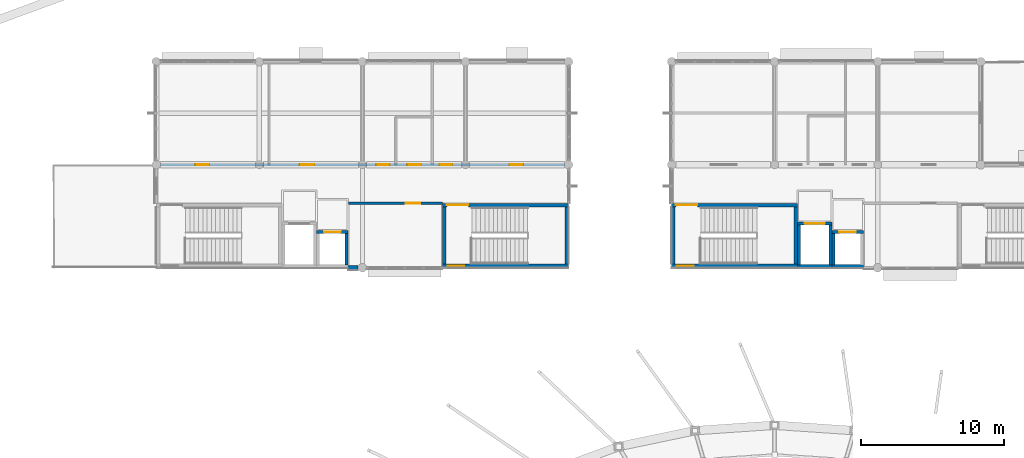
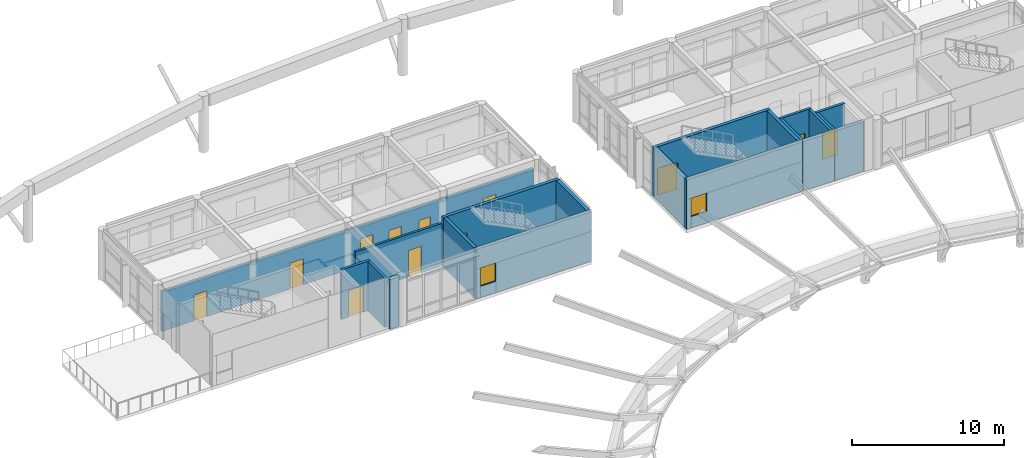
# One storey, part 24 of 37: 20 walls, 12 doors, 2 windows, 14 openings.
"""IFC4 building model written with IfcOpenShell, lengths in metres."""

from ifc_helpers import new_model, si_unit, direction, frame, frame_2d, origin, place, context, subcontext, project, spatial, rectangle, extrude, material, layer, layer_set, type_object, element, fill, save


model = new_model("IFC4")

# Units and contexts
model_context = context("Model", 3, precision=1e-05, world=origin(), true_north=direction((0.0, 1.0)))
body_context = subcontext(model_context, "Body", "Model", "MODEL_VIEW")
ifc_project = project(units=[si_unit("LENGTHUNIT", "METRE"), si_unit("AREAUNIT", "SQUARE_METRE"), si_unit("VOLUMEUNIT", "CUBIC_METRE"), si_unit("PLANEANGLEUNIT", "RADIAN"), si_unit("MASSUNIT", "GRAM", prefix="KILO")], contexts=[model_context])

# Site, building, storey
site_placement = place(None, origin())
site = spatial("IfcSite", under=ifc_project, at=site_placement, CompositionType="ELEMENT")
building_placement = place(site_placement, origin())
building = spatial("IfcBuilding", under=site, at=building_placement, Name="Namkhue Oval Health Centre", CompositionType="ELEMENT")
storey_placement = place(building_placement, frame((0.0, 0.0, 22.199951171875)))
storey = spatial("IfcBuildingStorey", under=building, at=storey_placement, Name="L05", CompositionType="ELEMENT", Elevation=22.199951171875)

# Wall
ifc_material_1 = material(Name="Autoclaved aerated concrete blockwork M7.5", Category="masonry")
ifc_layer_1 = layer(ifc_material_1, 0.330078125)
ifc_layer_set_1 = layer_set([ifc_layer_1], Name="Autoclaved aerated concrete blockwork M7.5")
wall_type_1 = type_object("IfcWallType", Name="EXTERIOR ENVELOPE WALL 330", PredefinedType="STANDARD", material=ifc_layer_set_1)
wall_1_placement = place(storey_placement, frame((71.001953125, 90.0, 0.0), z_axis=(0.0, 0.0, 1.0), x_axis=(1.0, 0.0, 0.0)))
element("IfcWall", 1, at=wall_1_placement, inside=storey, type_object=wall_type_1, Name="Volume V2 L05 Exterior Envelope Wall 48", PredefinedType="STANDARD", context=body_context, shape_type="SweptSolid", body=[
    extrude(rectangle(XDim=0.703125, YDim=0.330078125, at=frame_2d((0.3515625, 0.0))), origin(), (0.0, 0.0, 1.0), 3.97509765625),
])

# Wall, openings, doors
ifc_material_2 = material(Name="Gypsum plasterboard acoustic partition", Category="gypsum")
ifc_layer_2 = layer(ifc_material_2, 0.169921875)
ifc_layer_set_2 = layer_set([ifc_layer_2], Name="Gypsum plasterboard acoustic partition")
wall_type_2 = type_object("IfcWallType", Name="FIRE PARTITION WALL 170", PredefinedType="PARTITIONING", material=ifc_layer_set_2)
wall_2_placement = place(storey_placement, frame((57.89990234375, 97.199951171875, 0.0), z_axis=(0.0, 0.0, 1.0), x_axis=(1.0, 0.0, 0.0)))
wall_2 = element("IfcWall", 2, at=wall_2_placement, inside=storey, type_object=wall_type_2, Name="Volume V2 L05 Clinical Partition Wall 92", PredefinedType="PARTITIONING", context=body_context, shape_type="SweptSolid", body=[
    extrude(rectangle(XDim=28.2001953125, YDim=0.169921875, at=frame_2d((14.10009765625, 0.0))), origin(), (0.0, 0.0, 1.0), 3.22509765625),
])
opening_1_placement = place(wall_2_placement, frame((2.427978515625, 0.0, 0.0)))
opening_1 = element("IfcOpeningElement", 3, at=opening_1_placement, cuts=wall_2, Name="Opening CD-03", PredefinedType="OPENING", context=body_context, shape_type="SweptSolid", body=[
    extrude(rectangle(XDim=0.97998046875, YDim=2.080078125, at=frame_2d((0.489990234375, 1.0400390625))), frame((0.0, 0.094970703125, 0.0), z_axis=(0.0, -1.0, 0.0), x_axis=(1.0, 0.0, 0.0)), (0.0, 0.0, 1.0), 0.18994140625),
])
opening_2_placement = place(wall_2_placement, frame((9.72509765625, 0.0, 0.0)))
opening_2 = element("IfcOpeningElement", 4, at=opening_2_placement, cuts=wall_2, Name="Opening CD-04", PredefinedType="OPENING", context=body_context, shape_type="SweptSolid", body=[
    extrude(rectangle(XDim=1.02001953125, YDim=2.080078125, at=frame_2d((0.510009765625, 1.0400390625))), frame((0.0, 0.094970703125, 0.0), z_axis=(0.0, -1.0, 0.0), x_axis=(1.0, 0.0, 0.0)), (0.0, 0.0, 1.0), 0.18994140625),
])
opening_3_placement = place(wall_2_placement, frame((15.080078125, 0.0, 0.0)))
opening_3 = element("IfcOpeningElement", 5, at=opening_3_placement, cuts=wall_2, Name="Opening CD-13", PredefinedType="OPENING", context=body_context, shape_type="SweptSolid", body=[
    extrude(rectangle(XDim=0.919921875, YDim=2.179931640625, at=frame_2d((0.4599609375, 1.08984375))), frame((0.0, 0.094970703125, 0.0), z_axis=(0.0, -1.0, 0.0), x_axis=(1.0, 0.0, 0.0)), (0.0, 0.0, 1.0), 0.18994140625),
])
opening_4_placement = place(wall_2_placement, frame((17.239990234375, 0.0, 0.0)))
opening_4 = element("IfcOpeningElement", 6, at=opening_4_placement, cuts=wall_2, Name="Opening CD-02", PredefinedType="OPENING", context=body_context, shape_type="SweptSolid", body=[
    extrude(rectangle(XDim=0.93994140625, YDim=2.080078125, at=frame_2d((0.469970703125, 1.0400390625))), frame((0.0, 0.094970703125, 0.0), z_axis=(0.0, -1.0, 0.0), x_axis=(1.0, 0.0, 0.0)), (0.0, 0.0, 1.0), 0.18994140625),
])
opening_5_placement = place(wall_2_placement, frame((19.489990234375, 0.0, 0.0)))
opening_5 = element("IfcOpeningElement", 7, at=opening_5_placement, cuts=wall_2, Name="Opening CD-01", PredefinedType="OPENING", context=body_context, shape_type="SweptSolid", body=[
    extrude(rectangle(XDim=0.89990234375, YDim=2.080078125, at=frame_2d((0.449951171875, 1.0400390625))), frame((0.0, 0.094970703125, 0.0), z_axis=(0.0, -1.0, 0.0), x_axis=(1.0, 0.0, 0.0)), (0.0, 0.0, 1.0), 0.18994140625),
])
opening_6_placement = place(wall_2_placement, frame((24.382080078125, 0.0, 0.0)))
opening_6 = element("IfcOpeningElement", 8, at=opening_6_placement, cuts=wall_2, Name="Opening CD-08", PredefinedType="OPENING", context=body_context, shape_type="SweptSolid", body=[
    extrude(rectangle(XDim=0.949951171875, YDim=2.1298828125, at=frame_2d((0.47509765625, 1.06494140625))), frame((0.0, 0.094970703125, 0.0), z_axis=(0.0, -1.0, 0.0), x_axis=(1.0, 0.0, 0.0)), (0.0, 0.0, 1.0), 0.18994140625),
])
ifc_material_3 = material(Name="High-pressure laminate timber clinical door", Category="wood")
door_type_1 = type_object("IfcDoorType", Name="CLINICAL DOOR 1020X2080", OperationType="NOTDEFINED", PredefinedType="DOOR", material=ifc_material_3)
door_1_placement = place(opening_2_placement, origin())
door_1 = element("IfcDoor", 9, at=door_1_placement, inside=storey, type_object=door_type_1, Name="Volume V2 L05 Maternal Antenatal Clinic Door 76", OperationType="SINGLE_SWING_RIGHT", OverallHeight=2.080078125, OverallWidth=1.02001953125, PredefinedType="DOOR", context=body_context, shape_type="SweptSolid", body=[
    extrude(rectangle(XDim=1.02001953125, YDim=2.080078125, at=frame_2d((0.510009765625, 1.0400390625))), frame((0.0, 0.02490234375, 0.0), z_axis=(0.0, -1.0, 0.0), x_axis=(1.0, 0.0, 0.0)), (0.0, 0.0, 1.0), 0.050048828125),
])
fill(opening_2, door_1)
door_type_2 = type_object("IfcDoorType", Name="CLINICAL DOOR 900X2080", OperationType="NOTDEFINED", PredefinedType="DOOR", material=ifc_material_3)
door_2_placement = place(opening_5_placement, origin())
door_2 = element("IfcDoor", 10, at=door_2_placement, inside=storey, type_object=door_type_2, Name="Volume V2 L05 Patient Washroom Door 79", OperationType="SINGLE_SWING_LEFT", OverallHeight=2.080078125, OverallWidth=0.89990234375, PredefinedType="DOOR", context=body_context, shape_type="SweptSolid", body=[
    extrude(rectangle(XDim=0.89990234375, YDim=2.080078125, at=frame_2d((0.449951171875, 1.0400390625))), frame((0.0, 0.02490234375, 0.0), z_axis=(0.0, -1.0, 0.0), x_axis=(1.0, 0.0, 0.0)), (0.0, 0.0, 1.0), 0.050048828125),
])
fill(opening_5, door_2)
door_type_3 = type_object("IfcDoorType", Name="CLINICAL DOOR 920X2180", OperationType="NOTDEFINED", PredefinedType="DOOR", material=ifc_material_3)
door_3_placement = place(opening_3_placement, origin())
door_3 = element("IfcDoor", 11, at=door_3_placement, inside=storey, type_object=door_type_3, Name="Volume V2 L05 Baby Care and Lactation Room Door 77", OperationType="SINGLE_SWING_RIGHT", OverallHeight=2.179931640625, OverallWidth=0.919921875, PredefinedType="DOOR", context=body_context, shape_type="SweptSolid", body=[
    extrude(rectangle(XDim=0.919921875, YDim=2.179931640625, at=frame_2d((0.4599609375, 1.08984375))), frame((0.0, 0.02490234375, 0.0), z_axis=(0.0, -1.0, 0.0), x_axis=(1.0, 0.0, 0.0)), (0.0, 0.0, 1.0), 0.050048828125),
])
fill(opening_3, door_3)
door_type_4 = type_object("IfcDoorType", Name="CLINICAL DOOR 940X2080", OperationType="NOTDEFINED", PredefinedType="DOOR", material=ifc_material_3)
door_4_placement = place(opening_4_placement, origin())
door_4 = element("IfcDoor", 12, at=door_4_placement, inside=storey, type_object=door_type_4, Name="Volume V2 L05 Accessible WC Door 78", OperationType="SINGLE_SWING_RIGHT", OverallHeight=2.080078125, OverallWidth=0.93994140625, PredefinedType="DOOR", context=body_context, shape_type="SweptSolid", body=[
    extrude(rectangle(XDim=0.93994140625, YDim=2.080078125, at=frame_2d((0.469970703125, 1.0400390625))), frame((0.0, 0.02490234375, 0.0), z_axis=(0.0, -1.0, 0.0), x_axis=(1.0, 0.0, 0.0)), (0.0, 0.0, 1.0), 0.050048828125),
])
fill(opening_4, door_4)
door_type_5 = type_object("IfcDoorType", Name="CLINICAL DOOR 950X2130", OperationType="NOTDEFINED", PredefinedType="DOOR", material=ifc_material_3)
door_5_placement = place(opening_6_placement, origin())
door_5 = element("IfcDoor", 13, at=door_5_placement, inside=storey, type_object=door_type_5, Name="Volume V2 L05 Child Wellness Consultation Door 80", OperationType="SINGLE_SWING_RIGHT", OverallHeight=2.1298828125, OverallWidth=0.949951171875, PredefinedType="DOOR", context=body_context, shape_type="SweptSolid", body=[
    extrude(rectangle(XDim=0.949951171875, YDim=2.1298828125, at=frame_2d((0.47509765625, 1.06494140625))), frame((0.0, 0.02490234375, 0.0), z_axis=(0.0, -1.0, 0.0), x_axis=(1.0, 0.0, 0.0)), (0.0, 0.0, 1.0), 0.050048828125),
])
fill(opening_6, door_5)
door_type_6 = type_object("IfcDoorType", Name="CLINICAL DOOR 980X2080", OperationType="NOTDEFINED", PredefinedType="DOOR", material=ifc_material_3)
door_6_placement = place(opening_1_placement, origin())
door_6 = element("IfcDoor", 14, at=door_6_placement, inside=storey, type_object=door_type_6, Name="Volume V2 L05 Preventive Care Terrace Lounge Door 75", OperationType="SINGLE_SWING_LEFT", OverallHeight=2.080078125, OverallWidth=0.97998046875, PredefinedType="DOOR", context=body_context, shape_type="SweptSolid", body=[
    extrude(rectangle(XDim=0.97998046875, YDim=2.080078125, at=frame_2d((0.489990234375, 1.0400390625))), frame((0.0, 0.02490234375, 0.0), z_axis=(0.0, -1.0, 0.0), x_axis=(1.0, 0.0, 0.0)), (0.0, 0.0, 1.0), 0.050048828125),
])
fill(opening_1, door_6)

# Wall, opening, door
wall_3_placement = place(storey_placement, frame((71.02001953125, 94.5, 0.0), z_axis=(0.0, 0.0, 1.0), x_axis=(1.0, 0.0, 0.0)))
wall_3 = element("IfcWall", 15, at=wall_3_placement, inside=storey, type_object=wall_type_2, Name="Volume V2 L05 Clinical Partition Wall 99", PredefinedType="PARTITIONING", context=body_context, shape_type="SweptSolid", body=[
    extrude(rectangle(XDim=6.56005859375, YDim=0.169921875, at=frame_2d((3.280029296875, 0.0))), origin(), (0.0, 0.0, 1.0), 3.425048828125),
])
opening_7_placement = place(wall_3_placement, frame((4.02001953125, 0.0, 0.0)))
opening_7 = element("IfcOpeningElement", 16, at=opening_7_placement, cuts=wall_3, Name="Opening CD-09", PredefinedType="OPENING", context=body_context, shape_type="SweptSolid", body=[
    extrude(rectangle(XDim=1.0, YDim=2.1298828125, at=frame_2d((0.5, 1.06494140625))), frame((0.0, 0.094970703125, 0.0), z_axis=(0.0, -1.0, 0.0), x_axis=(1.0, 0.0, 0.0)), (0.0, 0.0, 1.0), 0.18994140625),
])
door_type_7 = type_object("IfcDoorType", Name="CLINICAL DOOR 1000X2130", OperationType="NOTDEFINED", PredefinedType="DOOR", material=ifc_material_3)
door_7_placement = place(opening_7_placement, frame((1.0, 0.0, 0.0), z_axis=(0.0, 0.0, 1.0), x_axis=(-1.0, 0.0, 0.0)))
door_7 = element("IfcDoor", 17, at=door_7_placement, inside=storey, type_object=door_type_7, Name="Volume V2 L05 North Terrace Antenatal Lounge Door 81", OperationType="SINGLE_SWING_LEFT", OverallHeight=2.1298828125, OverallWidth=1.0, PredefinedType="DOOR", context=body_context, shape_type="SweptSolid", body=[
    extrude(rectangle(XDim=1.0, YDim=2.1298828125, at=frame_2d((0.5, 1.06494140625))), frame((0.0, 0.02490234375, 0.0), z_axis=(0.0, -1.0, 0.0), x_axis=(1.0, 0.0, 0.0)), (0.0, 0.0, 1.0), 0.050048828125),
])
fill(opening_7, door_7)

# Wall, opening, window
ifc_material_4 = material(Name="Reinforced concrete C35/45 (TCVN B40)", Category="concrete")
ifc_layer_3 = layer(ifc_material_4, 0.25)
ifc_layer_set_3 = layer_set([ifc_layer_3], Name="Reinforced concrete C35/45 (TCVN B40)")
wall_type_3 = type_object("IfcWallType", Name="SHEAR CORE WALL EXT 250", PredefinedType="SHEAR", material=ifc_layer_set_3)
wall_4_placement = place(storey_placement, frame((77.60009765625, 90.125, 0.0), z_axis=(0.0, 0.0, 1.0), x_axis=(1.0, 0.0, 0.0)))
wall_4 = element("IfcWall", 18, at=wall_4_placement, inside=storey, type_object=wall_type_3, Name="Core SC-04 L05 Shear Wall S", PredefinedType="SHEAR", context=body_context, shape_type="SweptSolid", body=[
    extrude(rectangle(XDim=8.7998046875, YDim=0.25, at=frame_2d((4.39990234375, 0.0))), origin(), (0.0, 0.0, 1.0), 3.97509765625),
])
opening_8_placement = place(wall_4_placement, frame((0.35009765625, 0.0, 0.919921875)))
opening_8 = element("IfcOpeningElement", 19, at=opening_8_placement, cuts=wall_4, Name="Opening SWN-01", PredefinedType="OPENING", context=body_context, shape_type="SweptSolid", body=[
    extrude(rectangle(XDim=1.179931640625, YDim=1.47998046875, at=frame_2d((0.58984375, 0.739990234375))), frame((0.0, 0.135009765625, 0.0), z_axis=(0.0, -1.0, 0.0), x_axis=(1.0, 0.0, 0.0)), (0.0, 0.0, 1.0), 0.27001953125),
])
ifc_material_5 = material(Name="Fire-rated insulated safety double glazing", Category="glass")
window_type = type_object("IfcWindowType", Name="EXTERIOR WINDOW STAIRWELL 1180X1480", PartitioningType="SINGLE_PANEL", PredefinedType="WINDOW", material=ifc_material_5)
window_1_placement = place(opening_8_placement, origin())
window_1 = element("IfcWindow", 20, at=window_1_placement, inside=storey, type_object=window_type, Name="Stair ST-04 L05 Stairwell Daylight Window", OverallHeight=1.47998046875, OverallWidth=1.179931640625, PartitioningType="SINGLE_PANEL", PredefinedType="WINDOW", context=body_context, shape_type="SweptSolid", body=[
    extrude(rectangle(XDim=1.179931640625, YDim=1.47998046875, at=frame_2d((0.58984375, 0.739990234375))), frame((0.0, 0.030029296875, 0.0), z_axis=(0.0, -1.0, 0.0), x_axis=(1.0, 0.0, 0.0)), (0.0, 0.0, 1.0), 0.06005859375),
])
fill(opening_8, window_1)

# Wall
wall_5_placement = place(storey_placement, frame((86.27490234375, 90.25, 0.0), z_axis=(0.0, 0.0, 1.0), x_axis=(0.0, 1.0, 0.0)))
element("IfcWall", 21, at=wall_5_placement, inside=storey, type_object=wall_type_3, Name="Core SC-04 L05 Shear Wall E", PredefinedType="SHEAR", context=body_context, shape_type="SweptSolid", body=[
    extrude(rectangle(XDim=4.0, YDim=0.25, at=frame_2d((2.0, 0.0))), origin(), (0.0, 0.0, 1.0), 3.97509765625),
])

# Wall, opening, window
wall_6_placement = place(storey_placement, frame((93.60009765625, 90.125, 0.0), z_axis=(0.0, 0.0, 1.0), x_axis=(1.0, 0.0, 0.0)))
wall_6 = element("IfcWall", 22, at=wall_6_placement, inside=storey, type_object=wall_type_3, Name="Core SC-05 L05 Shear Wall S", PredefinedType="SHEAR", context=body_context, shape_type="SweptSolid", body=[
    extrude(rectangle(XDim=8.7998046875, YDim=0.25, at=frame_2d((4.39990234375, 0.0))), origin(), (0.0, 0.0, 1.0), 3.969970703125),
])
opening_9_placement = place(wall_6_placement, frame((0.35009765625, 0.0, 0.919921875)))
opening_9 = element("IfcOpeningElement", 23, at=opening_9_placement, cuts=wall_6, Name="Opening SWN-01", PredefinedType="OPENING", context=body_context, shape_type="SweptSolid", body=[
    extrude(rectangle(XDim=1.179931640625, YDim=1.47998046875, at=frame_2d((0.58984375, 0.739990234375))), frame((0.0, 0.135009765625, 0.0), z_axis=(0.0, -1.0, 0.0), x_axis=(1.0, 0.0, 0.0)), (0.0, 0.0, 1.0), 0.27001953125),
])
window_2_placement = place(opening_9_placement, origin())
window_2 = element("IfcWindow", 24, at=window_2_placement, inside=storey, type_object=window_type, Name="Stair ST-05 L05 Stairwell Daylight Window", OverallHeight=1.47998046875, OverallWidth=1.179931640625, PartitioningType="SINGLE_PANEL", PredefinedType="WINDOW", context=body_context, shape_type="SweptSolid", body=[
    extrude(rectangle(XDim=1.179931640625, YDim=1.47998046875, at=frame_2d((0.58984375, 0.739990234375))), frame((0.0, 0.030029296875, 0.0), z_axis=(0.0, -1.0, 0.0), x_axis=(1.0, 0.0, 0.0)), (0.0, 0.0, 1.0), 0.06005859375),
])
fill(opening_9, window_2)

# Walls
wall_7_placement = place(storey_placement, frame((93.72509765625, 94.25, 0.0), z_axis=(0.0, 0.0, 1.0), x_axis=(0.0, -1.0, 0.0)))
element("IfcWall", 25, at=wall_7_placement, inside=storey, type_object=wall_type_3, Name="Core SC-05 L05 Shear Wall W", PredefinedType="SHEAR", context=body_context, shape_type="SweptSolid", body=[
    extrude(rectangle(XDim=4.0, YDim=0.25, at=frame_2d((2.0, 0.0))), origin(), (0.0, 0.0, 1.0), 3.969970703125),
])
wall_8_placement = place(storey_placement, frame((102.39990234375, 90.10009765625, 0.0), z_axis=(0.0, 0.0, 1.0), x_axis=(1.0, 0.0, 0.0)))
element("IfcWall", 26, at=wall_8_placement, inside=storey, type_object=wall_type_3, Name="Lift LF-03 L05 Shaft Wall S", PredefinedType="SHEAR", context=body_context, shape_type="SweptSolid", body=[
    extrude(rectangle(XDim=2.400146484375, YDim=0.25, at=frame_2d((1.2001953125, 0.0))), origin(), (0.0, 0.0, 1.0), 3.969970703125),
])
wall_9_placement = place(storey_placement, frame((104.800048828125, 90.10009765625, 0.0), z_axis=(0.0, 0.0, 1.0), x_axis=(1.0, 0.0, 0.0)))
element("IfcWall", 27, at=wall_9_placement, inside=storey, type_object=wall_type_3, Name="Lift LF-04 L05 Shaft Wall S", PredefinedType="SHEAR", context=body_context, shape_type="SweptSolid", body=[
    extrude(rectangle(XDim=2.199951171875, YDim=0.25, at=frame_2d((1.10009765625, 0.0))), origin(), (0.0, 0.0, 1.0), 3.969970703125),
])
ifc_layer_4 = layer(ifc_material_4, 0.199951171875)
ifc_layer_set_4 = layer_set([ifc_layer_4], Name="Reinforced concrete C35/45 (TCVN B40)")
wall_type_4 = type_object("IfcWallType", Name="SHEAR CORE WALL INT 200", PredefinedType="SHEAR", material=ifc_layer_set_4)
wall_10_placement = place(storey_placement, frame((70.89990234375, 90.199951171875, 0.0), z_axis=(0.0, 0.0, 1.0), x_axis=(0.0, 1.0, 0.0)))
element("IfcWall", 28, at=wall_10_placement, inside=storey, type_object=wall_type_4, Name="Lift LF-02 L05 Shaft Wall E", PredefinedType="SHEAR", context=body_context, shape_type="SweptSolid", body=[
    extrude(rectangle(XDim=2.199951171875, YDim=0.199951171875, at=frame_2d((1.10009765625, 0.0))), origin(), (0.0, 0.0, 1.0), 3.97509765625),
])

# Wall, opening, door
wall_11_placement = place(storey_placement, frame((71.0, 92.5, 0.0), z_axis=(0.0, 0.0, 1.0), x_axis=(-1.0, 0.0, 0.0)))
wall_11 = element("IfcWall", 29, at=wall_11_placement, inside=storey, type_object=wall_type_4, Name="Lift LF-02 L05 Shaft Wall N", PredefinedType="SHEAR", context=body_context, shape_type="SweptSolid", body=[
    extrude(rectangle(XDim=2.199951171875, YDim=0.199951171875, at=frame_2d((1.10009765625, 0.0))), origin(), (0.0, 0.0, 1.0), 3.97509765625),
])
opening_10_placement = place(wall_11_placement, frame((0.52490234375, 0.0, 0.0)))
opening_10 = element("IfcOpeningElement", 30, at=opening_10_placement, cuts=wall_11, Name="Opening LD-02", PredefinedType="OPENING", context=body_context, shape_type="SweptSolid", body=[
    extrude(rectangle(XDim=1.14990234375, YDim=2.14990234375, at=frame_2d((0.574951171875, 1.074951171875))), frame((0.0, 0.10986328125, 0.0), z_axis=(0.0, -1.0, 0.0), x_axis=(1.0, 0.0, 0.0)), (0.0, 0.0, 1.0), 0.219970703125),
])
ifc_material_6 = material(Name="Powder-coated steel fire door assembly", Category="steel")
door_type_8 = type_object("IfcDoorType", Name="LIFT LANDING DOOR PASSENGER 1150X2150", OperationType="DOUBLE_DOOR_SLIDING", PredefinedType="DOOR", material=ifc_material_6)
door_8_placement = place(opening_10_placement, frame((1.14990234375, 0.0, 0.0), z_axis=(0.0, 0.0, 1.0), x_axis=(-1.0, 0.0, 0.0)))
door_8 = element("IfcDoor", 31, at=door_8_placement, inside=storey, type_object=door_type_8, Name="Lift LF-02 L05 Sliding Landing Door", OperationType="DOUBLE_DOOR_SLIDING", OverallHeight=2.14990234375, OverallWidth=1.14990234375, PredefinedType="DOOR", context=body_context, shape_type="SweptSolid", body=[
    extrude(rectangle(XDim=1.14990234375, YDim=2.14990234375, at=frame_2d((0.574951171875, 1.074951171875))), frame((0.0, 0.02490234375, 0.0), z_axis=(0.0, -1.0, 0.0), x_axis=(1.0, 0.0, 0.0)), (0.0, 0.0, 1.0), 0.050048828125),
])
fill(opening_10, door_8)

# Wall
wall_12_placement = place(storey_placement, frame((104.699951171875, 90.199951171875, 0.0), z_axis=(0.0, 0.0, 1.0), x_axis=(0.0, 1.0, 0.0)))
element("IfcWall", 32, at=wall_12_placement, inside=storey, type_object=wall_type_4, Name="Lift LF-03 L05 Shaft Wall E", PredefinedType="SHEAR", context=body_context, shape_type="SweptSolid", body=[
    extrude(rectangle(XDim=2.800048828125, YDim=0.199951171875, at=frame_2d((1.39990234375, 0.0))), origin(), (0.0, 0.0, 1.0), 3.969970703125),
])

# Wall, opening, door
wall_13_placement = place(storey_placement, frame((104.800048828125, 93.10009765625, 0.0), z_axis=(0.0, 0.0, 1.0), x_axis=(-1.0, 0.0, 0.0)))
wall_13 = element("IfcWall", 33, at=wall_13_placement, inside=storey, type_object=wall_type_4, Name="Lift LF-03 L05 Shaft Wall N", PredefinedType="SHEAR", context=body_context, shape_type="SweptSolid", body=[
    extrude(rectangle(XDim=2.400146484375, YDim=0.199951171875, at=frame_2d((1.2001953125, 0.0))), origin(), (0.0, 0.0, 1.0), 3.969970703125),
])
opening_11_placement = place(wall_13_placement, frame((0.5, 0.0, 0.0)))
opening_11 = element("IfcOpeningElement", 34, at=opening_11_placement, cuts=wall_13, Name="Opening LD-01", PredefinedType="OPENING", context=body_context, shape_type="SweptSolid", body=[
    extrude(rectangle(XDim=1.39990234375, YDim=2.14990234375, at=frame_2d((0.699951171875, 1.074951171875))), frame((0.0, 0.10986328125, 0.0), z_axis=(0.0, -1.0, 0.0), x_axis=(1.0, 0.0, 0.0)), (0.0, 0.0, 1.0), 0.219970703125),
])
door_type_9 = type_object("IfcDoorType", Name="LIFT LANDING DOOR STRETCHER 1400X2150", OperationType="DOUBLE_DOOR_SLIDING", PredefinedType="DOOR", material=ifc_material_6)
door_9_placement = place(opening_11_placement, frame((1.39990234375, 0.0, 0.0), z_axis=(0.0, 0.0, 1.0), x_axis=(-1.0, 0.0, 0.0)))
door_9 = element("IfcDoor", 35, at=door_9_placement, inside=storey, type_object=door_type_9, Name="Lift LF-03 L05 Sliding Landing Door", OperationType="DOUBLE_DOOR_SLIDING", OverallHeight=2.14990234375, OverallWidth=1.39990234375, PredefinedType="DOOR", context=body_context, shape_type="SweptSolid", body=[
    extrude(rectangle(XDim=1.39990234375, YDim=2.14990234375, at=frame_2d((0.699951171875, 1.074951171875))), frame((0.0, 0.02490234375, 0.0), z_axis=(0.0, -1.0, 0.0), x_axis=(1.0, 0.0, 0.0)), (0.0, 0.0, 1.0), 0.050048828125),
])
fill(opening_11, door_9)

# Wall
wall_14_placement = place(storey_placement, frame((102.5, 93.0, 0.0), z_axis=(0.0, 0.0, 1.0), x_axis=(0.0, -1.0, 0.0)))
element("IfcWall", 36, at=wall_14_placement, inside=storey, type_object=wall_type_4, Name="Lift LF-03 L05 Shaft Wall W", PredefinedType="SHEAR", context=body_context, shape_type="SweptSolid", body=[
    extrude(rectangle(XDim=2.800048828125, YDim=0.199951171875, at=frame_2d((1.39990234375, 0.0))), origin(), (0.0, 0.0, 1.0), 3.969970703125),
])

# Wall, opening, door
wall_15_placement = place(storey_placement, frame((107.0, 92.5, 0.0), z_axis=(0.0, 0.0, 1.0), x_axis=(-1.0, 0.0, 0.0)))
wall_15 = element("IfcWall", 37, at=wall_15_placement, inside=storey, type_object=wall_type_4, Name="Lift LF-04 L05 Shaft Wall N", PredefinedType="SHEAR", context=body_context, shape_type="SweptSolid", body=[
    extrude(rectangle(XDim=2.199951171875, YDim=0.199951171875, at=frame_2d((1.10009765625, 0.0))), origin(), (0.0, 0.0, 1.0), 3.969970703125),
])
opening_12_placement = place(wall_15_placement, frame((0.52490234375, 0.0, 0.0)))
opening_12 = element("IfcOpeningElement", 38, at=opening_12_placement, cuts=wall_15, Name="Opening LD-02", PredefinedType="OPENING", context=body_context, shape_type="SweptSolid", body=[
    extrude(rectangle(XDim=1.14990234375, YDim=2.14990234375, at=frame_2d((0.574951171875, 1.074951171875))), frame((0.0, 0.10986328125, 0.0), z_axis=(0.0, -1.0, 0.0), x_axis=(1.0, 0.0, 0.0)), (0.0, 0.0, 1.0), 0.219970703125),
])
door_10_placement = place(opening_12_placement, frame((1.14990234375, 0.0, 0.0), z_axis=(0.0, 0.0, 1.0), x_axis=(-1.0, 0.0, 0.0)))
door_10 = element("IfcDoor", 39, at=door_10_placement, inside=storey, type_object=door_type_8, Name="Lift LF-04 L05 Sliding Landing Door", OperationType="DOUBLE_DOOR_SLIDING", OverallHeight=2.14990234375, OverallWidth=1.14990234375, PredefinedType="DOOR", context=body_context, shape_type="SweptSolid", body=[
    extrude(rectangle(XDim=1.14990234375, YDim=2.14990234375, at=frame_2d((0.574951171875, 1.074951171875))), frame((0.0, 0.02490234375, 0.0), z_axis=(0.0, -1.0, 0.0), x_axis=(1.0, 0.0, 0.0)), (0.0, 0.0, 1.0), 0.050048828125),
])
fill(opening_12, door_10)

# Wall
wall_16_placement = place(storey_placement, frame((104.89990234375, 92.39990234375, 0.0), z_axis=(0.0, 0.0, 1.0), x_axis=(0.0, -1.0, 0.0)))
element("IfcWall", 40, at=wall_16_placement, inside=storey, type_object=wall_type_4, Name="Lift LF-04 L05 Shaft Wall W", PredefinedType="SHEAR", context=body_context, shape_type="SweptSolid", body=[
    extrude(rectangle(XDim=2.199951171875, YDim=0.199951171875, at=frame_2d((1.10009765625, 0.0))), origin(), (0.0, 0.0, 1.0), 3.969970703125),
])

# Wall, opening, door
ifc_layer_5 = layer(ifc_material_4, 0.25)
ifc_layer_set_5 = layer_set([ifc_layer_5], Name="Reinforced concrete C35/45 (TCVN B40)")
wall_type_5 = type_object("IfcWallType", Name="SHEAR CORE WALL INT 250", PredefinedType="SHEAR", material=ifc_layer_set_5)
wall_17_placement = place(storey_placement, frame((86.39990234375, 94.375, 0.0), z_axis=(0.0, 0.0, 1.0), x_axis=(-1.0, 0.0, 0.0)))
wall_17 = element("IfcWall", 41, at=wall_17_placement, inside=storey, type_object=wall_type_5, Name="Core SC-04 L05 Shear Wall N", PredefinedType="SHEAR", context=body_context, shape_type="SweptSolid", body=[
    extrude(rectangle(XDim=8.7998046875, YDim=0.25, at=frame_2d((4.39990234375, 0.0))), origin(), (0.0, 0.0, 1.0), 3.97509765625),
])
opening_13_placement = place(wall_17_placement, frame((7.0, 0.0, 0.0)))
opening_13 = element("IfcOpeningElement", 42, at=opening_13_placement, cuts=wall_17, Name="Opening SD-I1", PredefinedType="OPENING", context=body_context, shape_type="SweptSolid", body=[
    extrude(rectangle(XDim=1.5, YDim=2.14990234375, at=frame_2d((0.75, 1.074951171875))), frame((0.0, 0.135009765625, 0.0), z_axis=(0.0, -1.0, 0.0), x_axis=(1.0, 0.0, 0.0)), (0.0, 0.0, 1.0), 0.27001953125),
])
door_type_10 = type_object("IfcDoorType", Name="CLINICAL DOOR STAIR CORE 1500X2150", OperationType="DOUBLE_DOOR_SINGLE_SWING", PredefinedType="DOOR", material=ifc_material_6)
door_11_placement = place(opening_13_placement, origin())
door_11 = element("IfcDoor", 43, at=door_11_placement, inside=storey, type_object=door_type_10, Name="Stair ST-04 L05 Stair Enclosure Fire Door", OperationType="DOUBLE_DOOR_SINGLE_SWING", OverallHeight=2.14990234375, OverallWidth=1.5, PredefinedType="DOOR", context=body_context, shape_type="SweptSolid", body=[
    extrude(rectangle(XDim=1.5, YDim=2.14990234375, at=frame_2d((0.75, 1.074951171875))), frame((0.0, 0.02490234375, 0.0), z_axis=(0.0, -1.0, 0.0), x_axis=(1.0, 0.0, 0.0)), (0.0, 0.0, 1.0), 0.050048828125),
])
fill(opening_13, door_11)

# Walls
wall_18_placement = place(storey_placement, frame((77.72509765625, 94.25, 0.0), z_axis=(0.0, 0.0, 1.0), x_axis=(0.0, -1.0, 0.0)))
element("IfcWall", 44, at=wall_18_placement, inside=storey, type_object=wall_type_5, Name="Core SC-04 L05 Shear Wall W", PredefinedType="SHEAR", context=body_context, shape_type="SweptSolid", body=[
    extrude(rectangle(XDim=4.0, YDim=0.25, at=frame_2d((2.0, 0.0))), origin(), (0.0, 0.0, 1.0), 3.97509765625),
])
wall_19_placement = place(storey_placement, frame((102.27490234375, 90.25, 0.0), z_axis=(0.0, 0.0, 1.0), x_axis=(0.0, 1.0, 0.0)))
element("IfcWall", 45, at=wall_19_placement, inside=storey, type_object=wall_type_5, Name="Core SC-05 L05 Shear Wall E", PredefinedType="SHEAR", context=body_context, shape_type="SweptSolid", body=[
    extrude(rectangle(XDim=4.0, YDim=0.25, at=frame_2d((2.0, 0.0))), origin(), (0.0, 0.0, 1.0), 3.969970703125),
])

# Wall, opening, door
wall_20_placement = place(storey_placement, frame((102.39990234375, 94.375, 0.0), z_axis=(0.0, 0.0, 1.0), x_axis=(-1.0, 0.0, 0.0)))
wall_20 = element("IfcWall", 46, at=wall_20_placement, inside=storey, type_object=wall_type_5, Name="Core SC-05 L05 Shear Wall N", PredefinedType="SHEAR", context=body_context, shape_type="SweptSolid", body=[
    extrude(rectangle(XDim=8.7998046875, YDim=0.25, at=frame_2d((4.39990234375, 0.0))), origin(), (0.0, 0.0, 1.0), 3.969970703125),
])
opening_14_placement = place(wall_20_placement, frame((7.0, 0.0, 0.0)))
opening_14 = element("IfcOpeningElement", 47, at=opening_14_placement, cuts=wall_20, Name="Opening SD-I1", PredefinedType="OPENING", context=body_context, shape_type="SweptSolid", body=[
    extrude(rectangle(XDim=1.5, YDim=2.14990234375, at=frame_2d((0.75, 1.074951171875))), frame((0.0, 0.135009765625, 0.0), z_axis=(0.0, -1.0, 0.0), x_axis=(1.0, 0.0, 0.0)), (0.0, 0.0, 1.0), 0.27001953125),
])
door_12_placement = place(opening_14_placement, origin())
door_12 = element("IfcDoor", 48, at=door_12_placement, inside=storey, type_object=door_type_10, Name="Stair ST-05 L05 Stair Enclosure Fire Door", OperationType="DOUBLE_DOOR_SINGLE_SWING", OverallHeight=2.14990234375, OverallWidth=1.5, PredefinedType="DOOR", context=body_context, shape_type="SweptSolid", body=[
    extrude(rectangle(XDim=1.5, YDim=2.14990234375, at=frame_2d((0.75, 1.074951171875))), frame((0.0, 0.02490234375, 0.0), z_axis=(0.0, -1.0, 0.0), x_axis=(1.0, 0.0, 0.0)), (0.0, 0.0, 1.0), 0.050048828125),
])
fill(opening_14, door_12)

save(model, "model.ifc")
